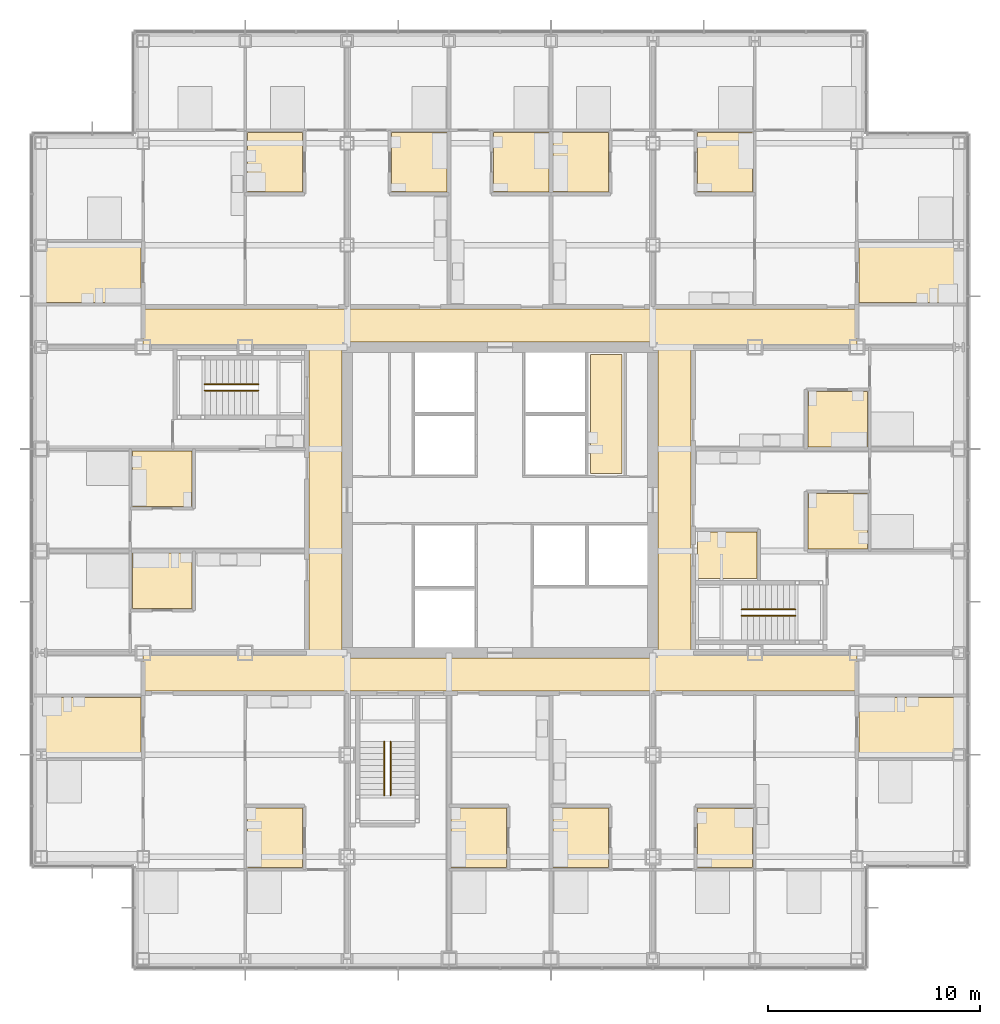
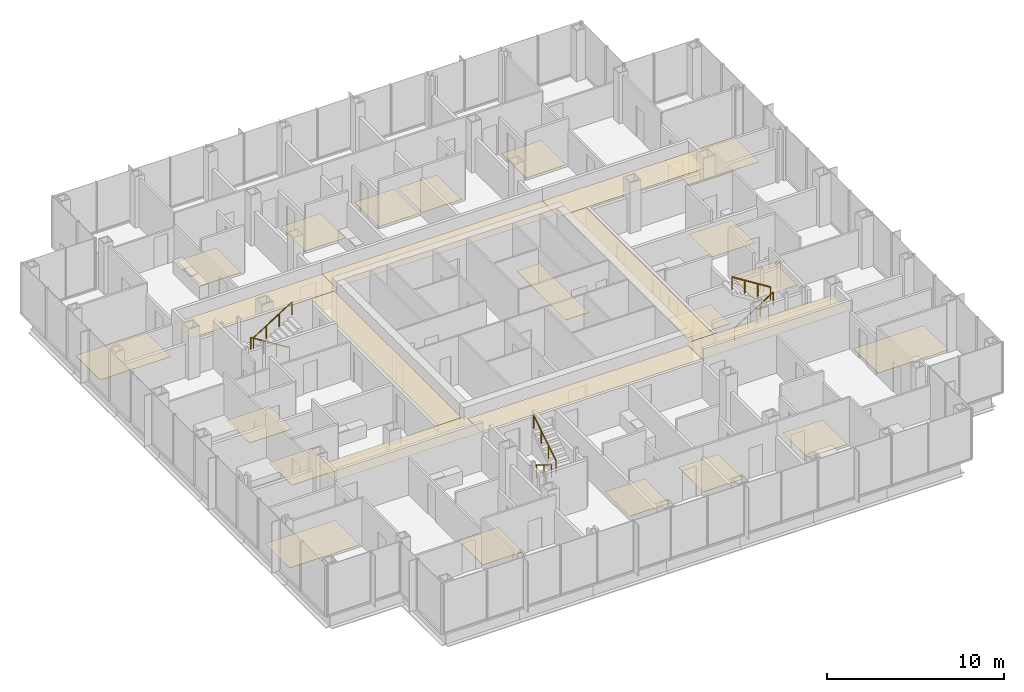
# One storey, part 19 of 21: 27 coverings, 6 railings.
"""IFC4 building model written with IfcOpenShell, lengths in metres."""

from ifc_helpers import new_model, si_unit, direction, frame, origin, origin_2d, place, context, subcontext, project, spatial, polyline, circle, outline, extrude, material, layer, layer_set, type_object, element, save


model = new_model("IFC4")

# Units and contexts
model_context = context("Model", 3, precision=1e-05, world=origin(), true_north=direction((0.0, 1.0)))
body_context = subcontext(model_context, "Body", "Model", "MODEL_VIEW")
ifc_project = project(units=[si_unit("LENGTHUNIT", "METRE"), si_unit("AREAUNIT", "SQUARE_METRE"), si_unit("VOLUMEUNIT", "CUBIC_METRE"), si_unit("PLANEANGLEUNIT", "RADIAN"), si_unit("MASSUNIT", "GRAM", prefix="KILO")], contexts=[model_context])

# Site, building, storey
site_placement = place(None, origin())
site = spatial("IfcSite", under=ifc_project, at=site_placement, CompositionType="ELEMENT")
building_placement = place(site_placement, origin())
building = spatial("IfcBuilding", under=site, at=building_placement, Name="Kvirike Care Tower", CompositionType="ELEMENT")
storey_placement = place(building_placement, frame((0.0, 0.0, 55.0)))
storey = spatial("IfcBuildingStorey", under=building, at=storey_placement, Name="L14", CompositionType="ELEMENT", Elevation=55.0)

# Coverings
ifc_material_1 = material(Name="Perforated metal ceiling tile", Category="aluminium")
ifc_layer_1 = layer(ifc_material_1, 0.014892578125)
ifc_layer_set_1 = layer_set([ifc_layer_1], Name="CORRIDOR CEILING 15")
covering_type_1 = type_object("IfcCoveringType", Name="CORRIDOR CEILING 15", PredefinedType="CEILING", material=ifc_layer_set_1)
covering_1_placement = place(storey_placement, frame((0.0, 0.0, 2.5)))
element("IfcCovering", 1, at=covering_1_placement, inside=storey, type_object=covering_type_1, Name="Corridor ceiling L14", PredefinedType="CEILING", context=body_context, shape_type="SweptSolid", body=[
    extrude(outline(polyline([(4.800048828125, 27.0), (4.800048828125, 28.800048828125), (14.39990234375, 28.800048828125), (14.39990234375, 27.0), (4.800048828125, 27.0)])), origin(), (0.0, 0.0, 1.0), 0.014892578125),
])
covering_2_placement = place(storey_placement, frame((0.0, 0.0, 2.5)))
element("IfcCovering", 2, at=covering_2_placement, inside=storey, type_object=covering_type_1, Name="Corridor ceiling L14", PredefinedType="CEILING", context=body_context, shape_type="SweptSolid", body=[
    extrude(outline(polyline([(12.60009765625, 43.199951171875), (14.14990234375, 43.199951171875), (14.14990234375, 28.800048828125), (12.60009765625, 28.800048828125), (12.60009765625, 43.199951171875)])), origin(), (0.0, 0.0, 1.0), 0.014892578125),
])
covering_3_placement = place(storey_placement, frame((0.0, 0.0, 2.5)))
element("IfcCovering", 3, at=covering_3_placement, inside=storey, type_object=covering_type_1, Name="Corridor ceiling L14", PredefinedType="CEILING", context=body_context, shape_type="SweptSolid", body=[
    extrude(outline(polyline([(14.39990234375, 45.0), (14.39990234375, 43.199951171875), (4.800048828125, 43.199951171875), (4.800048828125, 45.0), (14.39990234375, 45.0)])), origin(), (0.0, 0.0, 1.0), 0.014892578125),
])
covering_4_placement = place(storey_placement, frame((0.0, 0.0, 2.5)))
element("IfcCovering", 4, at=covering_4_placement, inside=storey, type_object=covering_type_1, Name="Corridor ceiling L14", PredefinedType="CEILING", context=body_context, shape_type="SweptSolid", body=[
    extrude(outline(polyline([(14.39990234375, 27.0), (14.39990234375, 28.550048828125), (28.800048828125, 28.550048828125), (28.800048828125, 27.0), (14.39990234375, 27.0)])), origin(), (0.0, 0.0, 1.0), 0.014892578125),
])
covering_5_placement = place(storey_placement, frame((0.0, 0.0, 2.5)))
element("IfcCovering", 5, at=covering_5_placement, inside=storey, type_object=covering_type_1, Name="Corridor ceiling L14", PredefinedType="CEILING", context=body_context, shape_type="SweptSolid", body=[
    extrude(outline(polyline([(28.800048828125, 45.0), (28.800048828125, 43.449951171875), (14.39990234375, 43.449951171875), (14.39990234375, 45.0), (28.800048828125, 45.0)])), origin(), (0.0, 0.0, 1.0), 0.014892578125),
])
covering_6_placement = place(storey_placement, frame((0.0, 0.0, 2.5)))
element("IfcCovering", 6, at=covering_6_placement, inside=storey, type_object=covering_type_1, Name="Corridor ceiling L14", PredefinedType="CEILING", context=body_context, shape_type="SweptSolid", body=[
    extrude(outline(polyline([(28.800048828125, 27.0), (28.800048828125, 28.800048828125), (38.39990234375, 28.800048828125), (38.39990234375, 27.0), (28.800048828125, 27.0)])), origin(), (0.0, 0.0, 1.0), 0.014892578125),
])
covering_7_placement = place(storey_placement, frame((0.0, 0.0, 2.5)))
element("IfcCovering", 7, at=covering_7_placement, inside=storey, type_object=covering_type_1, Name="Corridor ceiling L14", PredefinedType="CEILING", context=body_context, shape_type="SweptSolid", body=[
    extrude(outline(polyline([(30.60009765625, 28.800048828125), (29.050048828125, 28.800048828125), (29.050048828125, 43.199951171875), (30.60009765625, 43.199951171875), (30.60009765625, 28.800048828125)])), origin(), (0.0, 0.0, 1.0), 0.014892578125),
])
covering_8_placement = place(storey_placement, frame((0.0, 0.0, 2.5)))
element("IfcCovering", 8, at=covering_8_placement, inside=storey, type_object=covering_type_1, Name="Corridor ceiling L14", PredefinedType="CEILING", context=body_context, shape_type="SweptSolid", body=[
    extrude(outline(polyline([(38.39990234375, 45.0), (38.39990234375, 43.199951171875), (28.800048828125, 43.199951171875), (28.800048828125, 45.0), (38.39990234375, 45.0)])), origin(), (0.0, 0.0, 1.0), 0.014892578125),
])

# Railings
ifc_material_2 = material(Name="Stainless steel handrail", Category="steel")
railing_type = type_object("IfcRailingType", Name="STAIR HANDRAIL 900", PredefinedType="HANDRAIL", material=ifc_material_2)
railing_1_placement = place(storey_placement, frame((10.219970703125, 41.449951171875, 0.175048828125)))
element("IfcRailing", 9, at=railing_1_placement, inside=storey, type_object=railing_type, Name="Stair 1 handrail L14 flight 1", PredefinedType="HANDRAIL", context=body_context, shape_type="SweptSolid", body=[
    extrude(circle(Radius=0.02490234375, at=origin_2d()), frame((0.0, 0.0, 0.875), z_axis=(-0.848007534815, 0.0, 0.529984170421), x_axis=(0.0, -1.0, 0.0)), (0.0, 0.0, 1.0), 2.9716796875),
    extrude(circle(Radius=0.02001953125, at=origin_2d()), origin(), (0.0, 0.0, 1.0), 0.849853515625),
    extrude(circle(Radius=0.02001953125, at=origin_2d()), frame((-0.840087890625, 0.0, 0.52490234375)), (0.0, 0.0, 1.0), 0.849853515625),
    extrude(circle(Radius=0.02001953125, at=origin_2d()), frame((-1.679931640625, 0.0, 1.050048828125)), (0.0, 0.0, 1.0), 0.849853515625),
    extrude(circle(Radius=0.02001953125, at=origin_2d()), frame((-2.52001953125, 0.0, 1.574951171875)), (0.0, 0.0, 1.0), 0.849853515625),
])
for number, where, name in (
    (10, (7.699951171875, 41.14990234375, 1.925048828125), "Stair 1 handrail L14 flight 2"),
    (11, (32.97998046875, 30.550048828125, 0.175048828125), "Stair 2 handrail L14 flight 1"),
):
    element("IfcRailing", number, at=place(storey_placement, frame(where)), inside=storey, type_object=railing_type, Name=name, PredefinedType="HANDRAIL", context=body_context, shape_type="SweptSolid", body=[
        extrude(circle(Radius=0.02490234375, at=origin_2d()), frame((0.0, 0.0, 0.875), z_axis=(0.848007534815, 0.0, 0.529984170421), x_axis=(0.0, 1.0, 0.0)), (0.0, 0.0, 1.0), 2.9716796875),
        extrude(circle(Radius=0.02001953125, at=origin_2d()), origin(), (0.0, 0.0, 1.0), 0.849853515625),
        extrude(circle(Radius=0.02001953125, at=origin_2d()), frame((0.840087890625, 0.0, 0.52490234375)), (0.0, 0.0, 1.0), 0.849853515625),
        extrude(circle(Radius=0.02001953125, at=origin_2d()), frame((1.679931640625, 0.0, 1.050048828125)), (0.0, 0.0, 1.0), 0.849853515625),
        extrude(circle(Radius=0.02001953125, at=origin_2d()), frame((2.52001953125, 0.0, 1.574951171875)), (0.0, 0.0, 1.0), 0.849853515625),
    ])
railing_2_placement = place(storey_placement, frame((35.5, 30.85009765625, 1.925048828125)))
element("IfcRailing", 12, at=railing_2_placement, inside=storey, type_object=railing_type, Name="Stair 2 handrail L14 flight 2", PredefinedType="HANDRAIL", context=body_context, shape_type="SweptSolid", body=[
    extrude(circle(Radius=0.02490234375, at=origin_2d()), frame((0.0, 0.0, 0.875), z_axis=(-0.848007534815, 0.0, 0.529984170421), x_axis=(0.0, -1.0, 0.0)), (0.0, 0.0, 1.0), 2.9716796875),
    extrude(circle(Radius=0.02001953125, at=origin_2d()), origin(), (0.0, 0.0, 1.0), 0.849853515625),
    extrude(circle(Radius=0.02001953125, at=origin_2d()), frame((-0.840087890625, 0.0, 0.52490234375)), (0.0, 0.0, 1.0), 0.849853515625),
    extrude(circle(Radius=0.02001953125, at=origin_2d()), frame((-1.679931640625, 0.0, 1.050048828125)), (0.0, 0.0, 1.0), 0.849853515625),
    extrude(circle(Radius=0.02001953125, at=origin_2d()), frame((-2.52001953125, 0.0, 1.574951171875)), (0.0, 0.0, 1.0), 0.849853515625),
])
railing_3_placement = place(storey_placement, frame((16.14990234375, 24.6201171875, 0.175048828125)))
element("IfcRailing", 13, at=railing_3_placement, inside=storey, type_object=railing_type, Name="Stair 5 handrail L14 flight 1", PredefinedType="HANDRAIL", context=body_context, shape_type="SweptSolid", body=[
    extrude(circle(Radius=0.02490234375, at=origin_2d()), frame((0.0, 0.0, 0.875), z_axis=(0.0, -0.848007534815, 0.529984170421), x_axis=(1.0, 0.0, 0.0)), (0.0, 0.0, 1.0), 2.9716796875),
    extrude(circle(Radius=0.02001953125, at=origin_2d()), origin(), (0.0, 0.0, 1.0), 0.849853515625),
    extrude(circle(Radius=0.02001953125, at=origin_2d()), frame((0.0, -0.840087890625, 0.52490234375)), (0.0, 0.0, 1.0), 0.849853515625),
    extrude(circle(Radius=0.02001953125, at=origin_2d()), frame((0.0, -1.679931640625, 1.050048828125)), (0.0, 0.0, 1.0), 0.849853515625),
    extrude(circle(Radius=0.02001953125, at=origin_2d()), frame((0.0, -2.52001953125, 1.574951171875)), (0.0, 0.0, 1.0), 0.849853515625),
])
railing_4_placement = place(storey_placement, frame((16.449951171875, 22.10009765625, 1.925048828125)))
element("IfcRailing", 14, at=railing_4_placement, inside=storey, type_object=railing_type, Name="Stair 5 handrail L14 flight 2", PredefinedType="HANDRAIL", context=body_context, shape_type="SweptSolid", body=[
    extrude(circle(Radius=0.02490234375, at=origin_2d()), frame((0.0, 0.0, 0.875), z_axis=(0.0, 0.848007534815, 0.529984170421), x_axis=(-1.0, 0.0, 0.0)), (0.0, 0.0, 1.0), 2.9716796875),
    extrude(circle(Radius=0.02001953125, at=origin_2d()), origin(), (0.0, 0.0, 1.0), 0.849853515625),
    extrude(circle(Radius=0.02001953125, at=origin_2d()), frame((0.0, 0.840087890625, 0.52490234375)), (0.0, 0.0, 1.0), 0.849853515625),
    extrude(circle(Radius=0.02001953125, at=origin_2d()), frame((0.0, 1.679931640625, 1.050048828125)), (0.0, 0.0, 1.0), 0.849853515625),
    extrude(circle(Radius=0.02001953125, at=origin_2d()), frame((0.0, 2.52001953125, 1.574951171875)), (0.0, 0.0, 1.0), 0.849853515625),
])

# Coverings
ifc_material_3 = material(Name="Slip-resistant vinyl safety flooring on screed")
ifc_layer_2 = layer(ifc_material_3, 0.02001953125)
ifc_layer_set_2 = layer_set([ifc_layer_2], Name="WET ROOM FLOOR 20")
covering_type_2 = type_object("IfcCoveringType", Name="WET ROOM FLOOR 20", PredefinedType="FLOORING", material=ifc_layer_set_2)
covering_9_placement = place(storey_placement, origin())
element("IfcCovering", 15, at=covering_9_placement, inside=storey, type_object=covering_type_2, Name="Shower room floor L14-005", PredefinedType="FLOORING", context=body_context, shape_type="SweptSolid", body=[
    extrude(outline(polyline([(0.10009765625, 23.89990234375), (0.10009765625, 26.699951171875), (4.699951171875, 26.699951171875), (4.699951171875, 23.89990234375), (0.10009765625, 23.89990234375)])), origin(), (0.0, 0.0, 1.0), 0.02001953125),
])
covering_10_placement = place(storey_placement, origin())
element("IfcCovering", 16, at=covering_10_placement, inside=storey, type_object=covering_type_2, Name="Bathroom floor L14-006", PredefinedType="FLOORING", context=body_context, shape_type="SweptSolid", body=[
    extrude(outline(polyline([(9.699951171875, 18.699951171875), (9.699951171875, 21.5), (12.300048828125, 21.5), (12.300048828125, 18.699951171875), (9.699951171875, 18.699951171875)])), origin(), (0.0, 0.0, 1.0), 0.02001953125),
])
covering_11_placement = place(storey_placement, origin())
element("IfcCovering", 17, at=covering_11_placement, inside=storey, type_object=covering_type_2, Name="Bathroom floor L14-013", PredefinedType="FLOORING", context=body_context, shape_type="SweptSolid", body=[
    extrude(outline(polyline([(4.300048828125, 38.300048828125), (7.10009765625, 38.300048828125), (7.10009765625, 35.699951171875), (4.300048828125, 35.699951171875), (4.300048828125, 38.300048828125)])), origin(), (0.0, 0.0, 1.0), 0.02001953125),
])
covering_12_placement = place(storey_placement, origin())
element("IfcCovering", 18, at=covering_12_placement, inside=storey, type_object=covering_type_2, Name="Bathroom floor L14-017", PredefinedType="FLOORING", context=body_context, shape_type="SweptSolid", body=[
    extrude(outline(polyline([(4.300048828125, 33.5), (7.10009765625, 33.5), (7.10009765625, 30.89990234375), (4.300048828125, 30.89990234375), (4.300048828125, 33.5)])), origin(), (0.0, 0.0, 1.0), 0.02001953125),
])
covering_13_placement = place(storey_placement, origin())
element("IfcCovering", 19, at=covering_13_placement, inside=storey, type_object=covering_type_2, Name="Shower room floor L14-023", PredefinedType="FLOORING", context=body_context, shape_type="SweptSolid", body=[
    extrude(outline(polyline([(12.300048828125, 53.300048828125), (12.300048828125, 50.5), (9.699951171875, 50.5), (9.699951171875, 53.300048828125), (12.300048828125, 53.300048828125)])), origin(), (0.0, 0.0, 1.0), 0.02001953125),
])
covering_14_placement = place(storey_placement, origin())
element("IfcCovering", 20, at=covering_14_placement, inside=storey, type_object=covering_type_2, Name="Bathroom floor L14-024", PredefinedType="FLOORING", context=body_context, shape_type="SweptSolid", body=[
    extrude(outline(polyline([(4.699951171875, 48.10009765625), (4.699951171875, 45.300048828125), (0.10009765625, 45.300048828125), (0.10009765625, 48.10009765625), (4.699951171875, 48.10009765625)])), origin(), (0.0, 0.0, 1.0), 0.02001953125),
])
covering_15_placement = place(storey_placement, origin())
element("IfcCovering", 21, at=covering_15_placement, inside=storey, type_object=covering_type_2, Name="Bathroom floor L14-031", PredefinedType="FLOORING", context=body_context, shape_type="SweptSolid", body=[
    extrude(outline(polyline([(19.300048828125, 18.699951171875), (19.300048828125, 21.5), (21.89990234375, 21.5), (21.89990234375, 18.699951171875), (19.300048828125, 18.699951171875)])), origin(), (0.0, 0.0, 1.0), 0.02001953125),
])
covering_16_placement = place(storey_placement, origin())
element("IfcCovering", 22, at=covering_16_placement, inside=storey, type_object=covering_type_2, Name="Bathroom floor L14-034", PredefinedType="FLOORING", context=body_context, shape_type="SweptSolid", body=[
    extrude(outline(polyline([(24.10009765625, 18.699951171875), (24.10009765625, 21.5), (26.699951171875, 21.5), (26.699951171875, 18.699951171875), (24.10009765625, 18.699951171875)])), origin(), (0.0, 0.0, 1.0), 0.02001953125),
])
covering_17_placement = place(storey_placement, origin())
element("IfcCovering", 23, at=covering_17_placement, inside=storey, type_object=covering_type_2, Name="Bathroom floor L14-038", PredefinedType="FLOORING", context=body_context, shape_type="SweptSolid", body=[
    extrude(outline(polyline([(26.699951171875, 53.300048828125), (26.699951171875, 50.5), (24.10009765625, 50.5), (24.10009765625, 53.300048828125), (26.699951171875, 53.300048828125)])), origin(), (0.0, 0.0, 1.0), 0.02001953125),
])
covering_18_placement = place(storey_placement, origin())
element("IfcCovering", 24, at=covering_18_placement, inside=storey, type_object=covering_type_2, Name="Bathroom floor L14-041", PredefinedType="FLOORING", context=body_context, shape_type="SweptSolid", body=[
    extrude(outline(polyline([(23.89990234375, 53.300048828125), (23.89990234375, 50.5), (21.300048828125, 50.5), (21.300048828125, 53.300048828125), (23.89990234375, 53.300048828125)])), origin(), (0.0, 0.0, 1.0), 0.02001953125),
])
covering_19_placement = place(storey_placement, origin())
element("IfcCovering", 25, at=covering_19_placement, inside=storey, type_object=covering_type_2, Name="Bathroom floor L14-044", PredefinedType="FLOORING", context=body_context, shape_type="SweptSolid", body=[
    extrude(outline(polyline([(19.10009765625, 53.300048828125), (19.10009765625, 50.5), (16.5, 50.5), (16.5, 53.300048828125), (19.10009765625, 53.300048828125)])), origin(), (0.0, 0.0, 1.0), 0.02001953125),
])
covering_20_placement = place(storey_placement, origin())
element("IfcCovering", 26, at=covering_20_placement, inside=storey, type_object=covering_type_2, Name="Shower room floor L14-050", PredefinedType="FLOORING", context=body_context, shape_type="SweptSolid", body=[
    extrude(outline(polyline([(30.89990234375, 18.699951171875), (30.89990234375, 21.5), (33.5, 21.5), (33.5, 18.699951171875), (30.89990234375, 18.699951171875)])), origin(), (0.0, 0.0, 1.0), 0.02001953125),
])
covering_21_placement = place(storey_placement, origin())
element("IfcCovering", 27, at=covering_21_placement, inside=storey, type_object=covering_type_2, Name="Bathroom floor L14-051", PredefinedType="FLOORING", context=body_context, shape_type="SweptSolid", body=[
    extrude(outline(polyline([(38.5, 23.89990234375), (38.5, 26.699951171875), (43.10009765625, 26.699951171875), (43.10009765625, 23.89990234375), (38.5, 23.89990234375)])), origin(), (0.0, 0.0, 1.0), 0.02001953125),
])
covering_22_placement = place(storey_placement, origin())
element("IfcCovering", 28, at=covering_22_placement, inside=storey, type_object=covering_type_2, Name="Accessible WC floor L14-058", PredefinedType="FLOORING", context=body_context, shape_type="SweptSolid", body=[
    extrude(outline(polyline([(33.699951171875, 32.300048828125), (30.89990234375, 32.300048828125), (30.89990234375, 34.5), (33.699951171875, 34.5), (33.699951171875, 32.300048828125)])), origin(), (0.0, 0.0, 1.0), 0.02001953125),
])
covering_23_placement = place(storey_placement, origin())
element("IfcCovering", 29, at=covering_23_placement, inside=storey, type_object=covering_type_2, Name="Bathroom floor L14-059", PredefinedType="FLOORING", context=body_context, shape_type="SweptSolid", body=[
    extrude(outline(polyline([(38.89990234375, 33.699951171875), (36.10009765625, 33.699951171875), (36.10009765625, 36.300048828125), (38.89990234375, 36.300048828125), (38.89990234375, 33.699951171875)])), origin(), (0.0, 0.0, 1.0), 0.02001953125),
])
covering_24_placement = place(storey_placement, origin())
element("IfcCovering", 30, at=covering_24_placement, inside=storey, type_object=covering_type_2, Name="Bathroom floor L14-062", PredefinedType="FLOORING", context=body_context, shape_type="SweptSolid", body=[
    extrude(outline(polyline([(38.89990234375, 38.5), (36.10009765625, 38.5), (36.10009765625, 41.10009765625), (38.89990234375, 41.10009765625), (38.89990234375, 38.5)])), origin(), (0.0, 0.0, 1.0), 0.02001953125),
])
covering_25_placement = place(storey_placement, origin())
element("IfcCovering", 31, at=covering_25_placement, inside=storey, type_object=covering_type_2, Name="Shower room floor L14-068", PredefinedType="FLOORING", context=body_context, shape_type="SweptSolid", body=[
    extrude(outline(polyline([(43.10009765625, 48.10009765625), (43.10009765625, 45.300048828125), (38.5, 45.300048828125), (38.5, 48.10009765625), (43.10009765625, 48.10009765625)])), origin(), (0.0, 0.0, 1.0), 0.02001953125),
])
covering_26_placement = place(storey_placement, origin())
element("IfcCovering", 32, at=covering_26_placement, inside=storey, type_object=covering_type_2, Name="Bathroom floor L14-069", PredefinedType="FLOORING", context=body_context, shape_type="SweptSolid", body=[
    extrude(outline(polyline([(33.5, 53.300048828125), (33.5, 50.5), (30.89990234375, 50.5), (30.89990234375, 53.300048828125), (33.5, 53.300048828125)])), origin(), (0.0, 0.0, 1.0), 0.02001953125),
])
covering_27_placement = place(storey_placement, origin())
element("IfcCovering", 33, at=covering_27_placement, inside=storey, type_object=covering_type_2, Name="Staff WC floor L14-079", PredefinedType="FLOORING", context=body_context, shape_type="SweptSolid", body=[
    extrude(outline(polyline([(27.35009765625, 37.25), (25.85009765625, 37.25), (25.85009765625, 42.85009765625), (27.35009765625, 42.85009765625), (27.35009765625, 37.25)])), origin(), (0.0, 0.0, 1.0), 0.02001953125),
])

save(model, "model.ifc")
